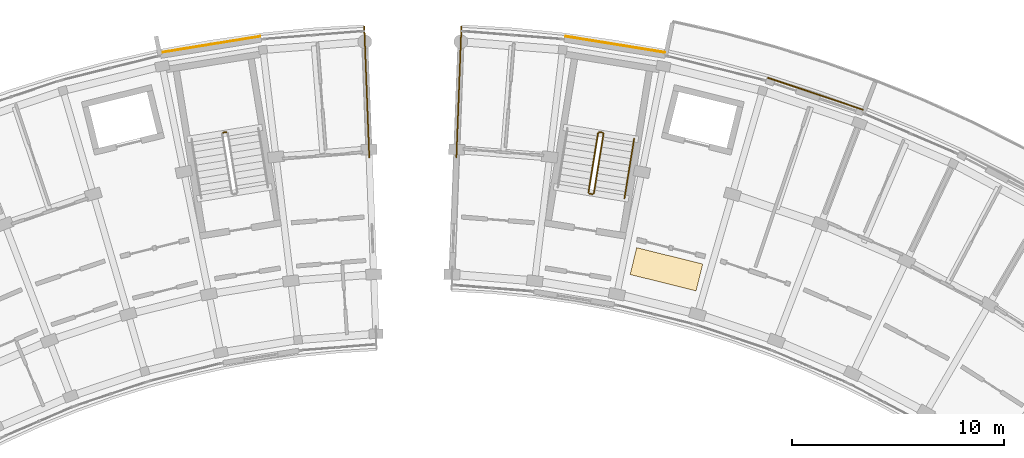
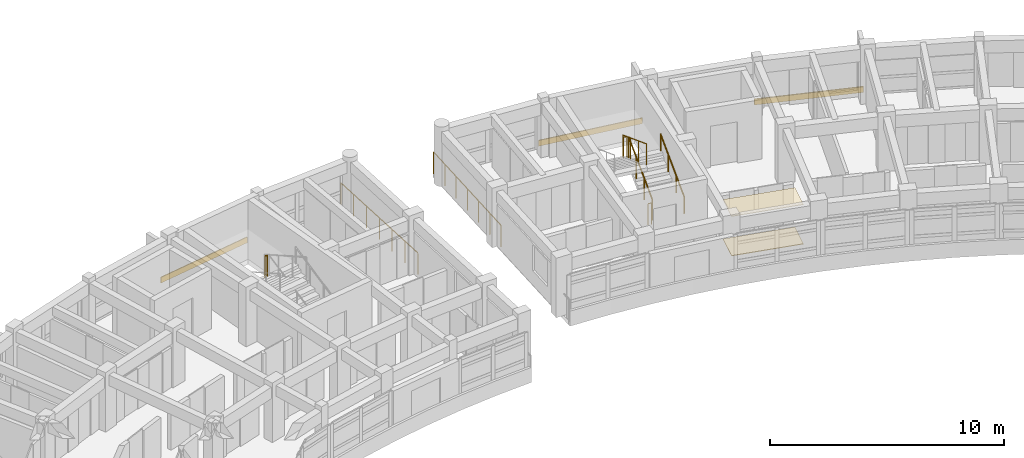
# One storey, part 37 of 40: 8 railings, 5 coverings.
"""IFC4 building model written with IfcOpenShell, lengths in metres."""

import ifcopenshell
import ifcopenshell.guid

model = None  # the IFC model being written
_history = None  # IfcOwnerHistory: only IFC2X3 demands one
_inside = {}  # id of a spatial element -> (the spatial element, [elements in it])
_under = {}  # id of a project, library or spatial element -> (it, [spatial elements below it])
_declared = {}  # id of a project -> (the project, [libraries it declares])
_typed = {}  # id of a type object -> (the type object, [elements of that type])
_made_of = {}  # id of a material, layer set ... -> (it, [elements and type objects made of it])


def new_model(schema):
    """Start an empty IFC model of exactly this schema.

    Asked for "IFC4X3", IfcOpenShell would pick the latest addendum, in which some entities
    have other attributes; the version numbers below select the first issue.
    IFC2X3 requires an IfcOwnerHistory on every rooted entity: one is made here for all.
    """
    global model, _history
    if schema == "IFC4X3":
        model = ifcopenshell.file(schema_version=(4, 3, 0, 0))
    else:
        model = ifcopenshell.file(schema=schema)
    _inside.clear()
    _under.clear()
    _declared.clear()
    _typed.clear()
    _made_of.clear()
    _history = None
    if model.schema == "IFC2X3":
        org = make("IfcOrganization", Name="unknown")
        user = make(
            "IfcPersonAndOrganization",
            ThePerson=make("IfcPerson", FamilyName="unknown"),
            TheOrganization=org,
        )
        app = make(
            "IfcApplication",
            ApplicationDeveloper=org,
            Version="unknown",
            ApplicationFullName="unknown",
            ApplicationIdentifier="unknown",
        )
        _history = make(
            "IfcOwnerHistory",
            OwningUser=user,
            OwningApplication=app,
            ChangeAction="ADDED",
            CreationDate=0,
        )
    return model


def make(cls, **values):
    """One entity of the class cls with the attributes given. An attribute that is None is left unset."""
    return model.create_entity(
        cls, **{name: value for name, value in values.items() if value is not None}
    )


def rooted(cls, **values):
    """An entity with a GlobalId (a new one), such as an element, a storey or a relation."""
    return make(cls, GlobalId=ifcopenshell.guid.new(), OwnerHistory=_history, **values)


def si_unit(unit_type, name, prefix=None):
    """IfcSIUnit, for example si_unit("LENGTHUNIT", "METRE", prefix="MILLI")."""
    return make("IfcSIUnit", UnitType=unit_type, Prefix=prefix, Name=name)


def assignment(units):
    """IfcUnitAssignment: the units of a project."""
    return None if units is None else make("IfcUnitAssignment", Units=units)


def point(xyz):
    """IfcCartesianPoint."""
    return None if xyz is None else make("IfcCartesianPoint", Coordinates=xyz)


def direction(xyz):
    """IfcDirection."""
    return None if xyz is None else make("IfcDirection", DirectionRatios=xyz)


def frame(location, z_axis=None, x_axis=None):
    """IfcAxis2Placement3D, a coordinate frame: its origin and axes. An axis left out is left unset."""
    return make(
        "IfcAxis2Placement3D",
        Location=point(location),
        Axis=direction(z_axis),
        RefDirection=direction(x_axis),
    )


def frame_2d(location, x_axis=None):
    """IfcAxis2Placement2D, a coordinate frame in the plane: its origin and x axis."""
    return make(
        "IfcAxis2Placement2D", Location=point(location), RefDirection=direction(x_axis)
    )


def origin():
    """The frame at (0, 0, 0) with its axes left unset."""
    return frame((0.0, 0.0, 0.0))


def origin_2d():
    """The frame at (0, 0) in the plane with its x axis left unset."""
    return frame_2d((0.0, 0.0))


def place(relative_to, where):
    """IfcLocalPlacement: puts the frame where relative to a parent placement (None: the world)."""
    return make(
        "IfcLocalPlacement", PlacementRelTo=relative_to, RelativePlacement=where
    )


def context(
    kind, dimensions, precision=None, world=None, true_north=None, identifier=None
):
    """IfcGeometricRepresentationContext, for example the 3D "Model" context."""
    return make(
        "IfcGeometricRepresentationContext",
        ContextIdentifier=identifier,
        ContextType=kind,
        CoordinateSpaceDimension=dimensions,
        Precision=precision,
        WorldCoordinateSystem=world,
        TrueNorth=true_north,
    )


def subcontext(parent, identifier, kind, view, scale=None):
    """IfcGeometricRepresentationSubContext, for example "Body" below "Model"."""
    return make(
        "IfcGeometricRepresentationSubContext",
        ContextIdentifier=identifier,
        ContextType=kind,
        ParentContext=parent,
        TargetScale=scale,
        TargetView=view,
    )


def project(units=None, contexts=None):
    """IfcProject with its units and contexts."""
    return rooted(
        "IfcProject",
        Name="project",
        RepresentationContexts=contexts,
        UnitsInContext=assignment(units),
    )


def spatial(cls, under=None, at=None, **own):
    """A site, building, storey or space (cls), placed at a placement, below another one or the project."""
    s = rooted(cls, ObjectPlacement=at, **own)
    if under is not None:
        _under.setdefault(under.id(), (under, []))[1].append(s)
    return s


def profile(cls, at=None, kind="AREA", **sizes):
    """A parametric profile (cls). Its sizes go by their IFC names, for example OverallWidth=200.0."""
    return make(cls, ProfileType=kind, Position=at, **sizes)


def rectangle(**sizes):
    """IfcRectangleProfileDef."""
    return profile("IfcRectangleProfileDef", **sizes)


def circle(**sizes):
    """IfcCircleProfileDef."""
    return profile("IfcCircleProfileDef", **sizes)


def extrude(swept, where, along, depth):
    """IfcExtrudedAreaSolid: the profile swept, set in the frame where, extruded along a direction by depth."""
    return make(
        "IfcExtrudedAreaSolid",
        SweptArea=swept,
        Position=where,
        ExtrudedDirection=direction(along),
        Depth=depth,
    )


def shape(context_of_items, identifier, shape_type, items):
    """IfcShapeRepresentation: the items that make up one representation, for example the "Body"."""
    return make(
        "IfcShapeRepresentation",
        ContextOfItems=context_of_items,
        RepresentationIdentifier=identifier,
        RepresentationType=shape_type,
        Items=items,
    )


def material(Name=None, Category=None):
    """IfcMaterial."""
    return make("IfcMaterial", Name=Name, Category=Category)


def layer(
    of_material, thickness, ventilated=None, Name=None, Category=None, Priority=None
):
    """IfcMaterialLayer: one layer of a wall or slab, of a material (None: an air gap)."""
    return make(
        "IfcMaterialLayer",
        Material=of_material,
        LayerThickness=thickness,
        IsVentilated=ventilated,
        Name=Name,
        Category=Category,
        Priority=Priority,
    )


def layer_set(layers, Name=None):
    """IfcMaterialLayerSet."""
    return make("IfcMaterialLayerSet", MaterialLayers=layers, LayerSetName=Name)


def made_of(thing, what):
    """Note that an element or type object is made of a material, layer set ...; save() writes the relation."""
    if what is not None:
        _made_of.setdefault(what.id(), (what, []))[1].append(thing)
    return thing


def type_object(cls, material=None, **own):
    """A type object (cls), such as IfcWallType, which elements share."""
    return made_of(rooted(cls, **own), material)


def element(
    cls,
    number,
    at=None,
    inside=None,
    cuts=None,
    type_object=None,
    material=None,
    context=None,
    identifier="Body",
    shape_type=None,
    held_by="IfcProductDefinitionShape",
    body=None,
    shapes=None,
    **own,
):
    """One element of the class cls, such as IfcWall. Its Tag is "e" and its number.

    at: its placement. inside: the storey or other place that contains it. cuts: it is an
    opening in that element (IfcRelVoidsElement). A single representation is given by context,
    identifier, shape_type and body (its items); several are given by shapes. held_by: the class
    of the entity that holds the representations. save() writes the other relations.
    """
    e = rooted(cls, Tag="e%d" % number, ObjectPlacement=at, **own)
    if body is not None:
        shapes = [shape(context, identifier, shape_type, body)]
    if shapes is not None:
        e.Representation = make(held_by, Representations=shapes)
    if inside is not None:
        _inside.setdefault(inside.id(), (inside, []))[1].append(e)
    if cuts is not None:
        rooted(
            "IfcRelVoidsElement", RelatingBuildingElement=cuts, RelatedOpeningElement=e
        )
    if type_object is not None:
        _typed.setdefault(type_object.id(), (type_object, []))[1].append(e)
    return made_of(e, material)


def aggregate(whole, parts):
    """IfcRelAggregates: a whole, such as a stair, and the parts it consists of."""
    return rooted("IfcRelAggregates", RelatingObject=whole, RelatedObjects=parts)


def save(model, path):
    """Write the relations noted so far, then the file.

    IfcRelAggregates (storeys below a building ...), IfcRelContainedInSpatialStructure (elements
    in a storey), IfcRelDefinesByType, IfcRelAssociatesMaterial and IfcRelDeclares: one each for
    every whole, place, type object, material and project.
    """
    for whole, parts in _under.values():
        aggregate(whole, parts)
    for where, things in _inside.values():
        rooted(
            "IfcRelContainedInSpatialStructure",
            RelatedElements=things,
            RelatingStructure=where,
        )
    for kind, things in _typed.values():
        rooted("IfcRelDefinesByType", RelatedObjects=things, RelatingType=kind)
    for what, things in _made_of.values():
        rooted("IfcRelAssociatesMaterial", RelatedObjects=things, RelatingMaterial=what)
    for by, libraries in _declared.values():
        rooted("IfcRelDeclares", RelatingContext=by, RelatedDefinitions=libraries)
    model.write(path)


model = new_model("IFC4")

# Units and contexts
model_context = context("Model", 3, precision=1e-05, world=origin(), true_north=direction((0.0, 1.0)))
body_context = subcontext(model_context, "Body", "Model", "MODEL_VIEW")
ifc_project = project(units=[si_unit("LENGTHUNIT", "METRE"), si_unit("AREAUNIT", "SQUARE_METRE"), si_unit("VOLUMEUNIT", "CUBIC_METRE"), si_unit("PLANEANGLEUNIT", "RADIAN"), si_unit("MASSUNIT", "GRAM", prefix="KILO")], contexts=[model_context])

# Site, building, storey
site_placement = place(None, origin())
site = spatial("IfcSite", under=ifc_project, at=site_placement, CompositionType="ELEMENT")
building_placement = place(site_placement, origin())
building = spatial("IfcBuilding", under=site, at=building_placement, Name="Zimvara Arc Housing Community", CompositionType="ELEMENT")
storey_placement = place(building_placement, frame((0.0, 0.0, 32.89990234375)))
storey = spatial("IfcBuildingStorey", under=building, at=storey_placement, Name="L10", CompositionType="ELEMENT", Elevation=32.89990234375)

# Coverings
ifc_material_1 = material(Name="Pale-Gold Anodised Aluminium Cladding", Category="aluminium")
ifc_layer_1 = layer(ifc_material_1, 0.0400390625)
ifc_layer_set_1 = layer_set([ifc_layer_1], Name="Pale-Gold Anodised Aluminium Cladding")
covering_type_1 = type_object("IfcCoveringType", Name="CLD-GOLD-01", PredefinedType="CLADDING", material=ifc_layer_set_1)
covering_1_placement = place(storey_placement, frame((35.47021484375, 103.208984375, 0.01025390625), z_axis=(0.0, 0.0, 1.0), x_axis=(0.987080395872, 0.160225753504, 0.0)))
element("IfcCovering", 1, at=covering_1_placement, inside=storey, type_object=covering_type_1, Name="cld:blkA:L10:out:b8", PredefinedType="CLADDING", context=body_context, shape_type="SweptSolid", body=[
    extrude(rectangle(XDim=4.748779296875, YDim=0.0400390625, at=origin_2d()), origin(), (0.0, 0.0, 1.0), 0.300048828125),
])
ifc_material_2 = material(Name="Pale-Gold Anodised Aluminium Cladding", Category="aluminium")
ifc_layer_2 = layer(ifc_material_2, 0.044921875)
ifc_layer_set_2 = layer_set([ifc_layer_2], Name="Pale-Gold Anodised Aluminium Cladding")
covering_type_2 = type_object("IfcCoveringType", Name="CLD-GOLD-02", PredefinedType="CLADDING", material=ifc_layer_set_2)
covering_2_placement = place(storey_placement, frame((54.5302734375, 103.21142578125, 0.01025390625), z_axis=(0.0, 0.0, 1.0), x_axis=(0.987080395872, -0.160225753504, 0.0)))
element("IfcCovering", 2, at=covering_2_placement, inside=storey, type_object=covering_type_2, Name="cld:blkB:L10:out:b1", PredefinedType="CLADDING", context=body_context, shape_type="SweptSolid", body=[
    extrude(rectangle(XDim=4.748779296875, YDim=0.044921875, at=origin_2d()), origin(), (0.0, 0.0, 1.0), 0.300048828125),
])
ifc_material_3 = material(Name="Pale-Gold Anodised Aluminium Cladding", Category="aluminium")
ifc_layer_3 = layer(ifc_material_3, 0.054931640625)
ifc_layer_set_3 = layer_set([ifc_layer_3], Name="Pale-Gold Anodised Aluminium Cladding")
covering_type_3 = type_object("IfcCoveringType", Name="CLD-GOLD-04", PredefinedType="CLADDING", material=ifc_layer_set_3)
covering_3_placement = place(storey_placement, frame((63.955078125, 100.889404296875, 0.01025390625), z_axis=(0.0, 0.0, 1.0), x_axis=(0.947879690069, -0.318628456287, 0.0)))
element("IfcCovering", 3, at=covering_3_placement, inside=storey, type_object=covering_type_3, Name="cld:blkB:L10:out:b3", PredefinedType="CLADDING", context=body_context, shape_type="SweptSolid", body=[
    extrude(rectangle(XDim=4.748779296875, YDim=0.054931640625, at=origin_2d()), origin(), (0.0, 0.0, 1.0), 0.300048828125),
])
ifc_material_4 = material(Name="Perforated Acoustic Ceiling Board")
ifc_layer_4 = layer(ifc_material_4, 0.02490234375)
ifc_layer_set_4 = layer_set([ifc_layer_4], Name="Perforated Acoustic Ceiling Board")
covering_type_4 = type_object("IfcCoveringType", Name="COV-CEIL-03", PredefinedType="CEILING", material=ifc_layer_set_4)
covering_4_placement = place(storey_placement, frame((56.938232421875, 92.625, 2.05517578125), z_axis=(0.0, 0.0, 1.0), x_axis=(0.240228042477, 0.970716481578, 0.0)))
element("IfcCovering", 4, at=covering_4_placement, inside=storey, type_object=covering_type_4, Name="ceil:blkB:L10", PredefinedType="CEILING", context=body_context, shape_type="SweptSolid", body=[
    extrude(rectangle(XDim=1.300048828125, YDim=3.199951171875, at=origin_2d()), origin(), (0.0, 0.0, 1.0), 0.02490234375),
])
ifc_material_5 = material(Name="Polished Coastal Sand Terrazzo")
ifc_layer_5 = layer(ifc_material_5, 0.028076171875)
ifc_layer_set_5 = layer_set([ifc_layer_5], Name="Polished Coastal Sand Terrazzo")
covering_type_5 = type_object("IfcCoveringType", Name="COV-FLOR-03", PredefinedType="FLOORING", material=ifc_layer_set_5)
covering_5_placement = place(storey_placement, frame((56.938232421875, 92.625, 0.0), z_axis=(0.0, 0.0, 1.0), x_axis=(0.240228042477, 0.970716481578, 0.0)))
element("IfcCovering", 5, at=covering_5_placement, inside=storey, type_object=covering_type_5, Name="flor:blkB:L10", PredefinedType="FLOORING", context=body_context, shape_type="SweptSolid", body=[
    extrude(rectangle(XDim=1.300048828125, YDim=3.199951171875, at=origin_2d()), origin(), (0.0, 0.0, 1.0), 0.028076171875),
])

# Railings
ifc_material_6 = material(Name="Anodised Aluminium AW-6063", Category="aluminium")
railing_type_1 = type_object("IfcRailingType", Name="RLG-BAL-1120", PredefinedType="BALUSTRADE", material=ifc_material_6)
railing_1_placement = place(storey_placement, frame((36.220947265625, 99.08349609375, 1.550048828125)))
element("IfcRailing", 6, at=railing_1_placement, inside=storey, type_object=railing_type_1, Name="L10 ST-A2 stair guard 2", PredefinedType="BALUSTRADE", context=body_context, shape_type="SweptSolid", body=[
    extrude(circle(Radius=0.02392578125, at=origin_2d()), frame((0.0, 0.0, 1.09619140625), z_axis=(-0.987085924886, -0.160191687964, 0.0), x_axis=(0.160191687964, -0.987085924886, 0.0)), (0.0, 0.0, 1.0), 0.159912109375),
    extrude(circle(Radius=0.02099609375, at=origin_2d()), origin(), (0.0, 0.0, 1.0), 1.072021484375),
    extrude(circle(Radius=0.02099609375, at=origin_2d()), frame((-0.157958984375, -0.025634765625, 0.0)), (0.0, 0.0, 1.0), 1.072021484375),
])
railing_2_placement = place(storey_placement, frame((53.524169921875, 96.2021484375, 0.155029296875)))
element("IfcRailing", 7, at=railing_2_placement, inside=storey, type_object=railing_type_1, Name="L10 ST-B1 stair guard 1", PredefinedType="BALUSTRADE", context=body_context, shape_type="SweptSolid", body=[
    extrude(circle(Radius=0.02392578125, at=origin_2d()), frame((0.0, 0.0, 1.09619140625), z_axis=(0.143721784145, 0.885666177347, 0.441519502474), x_axis=(-0.987087819028, 0.160180016, 0.0)), (0.0, 0.0, 1.0), 3.15966796875),
    extrude(circle(Radius=0.02099609375, at=origin_2d()), origin(), (0.0, 0.0, 1.0), 1.072021484375),
    extrude(circle(Radius=0.02099609375, at=origin_2d()), frame((0.1513671875, 0.932861328125, 0.465087890625)), (0.0, 0.0, 1.0), 1.072021484375),
    extrude(circle(Radius=0.02099609375, at=origin_2d()), frame((0.302734375, 1.865478515625, 0.929931640625)), (0.0, 0.0, 1.0), 1.072021484375),
    extrude(circle(Radius=0.02099609375, at=origin_2d()), frame((0.4541015625, 2.79833984375, 1.39501953125)), (0.0, 0.0, 1.0), 1.072021484375),
])
railing_3_placement = place(storey_placement, frame((53.93701171875, 99.057861328125, 1.550048828125)))
element("IfcRailing", 8, at=railing_3_placement, inside=storey, type_object=railing_type_1, Name="L10 ST-B1 stair guard 2", PredefinedType="BALUSTRADE", context=body_context, shape_type="SweptSolid", body=[
    extrude(circle(Radius=0.02392578125, at=origin_2d()), frame((0.0, 0.0, 1.09619140625), z_axis=(-0.987085924886, 0.160191687964, 0.0), x_axis=(-0.160191687964, -0.987085924886, 0.0)), (0.0, 0.0, 1.0), 0.159912109375),
    extrude(circle(Radius=0.02099609375, at=origin_2d()), origin(), (0.0, 0.0, 1.0), 1.072021484375),
    extrude(circle(Radius=0.02099609375, at=origin_2d()), frame((-0.157958984375, 0.025634765625, 0.0)), (0.0, 0.0, 1.0), 1.072021484375),
])
railing_4_placement = place(storey_placement, frame((53.7216796875, 99.042236328125, 1.705078125)))
element("IfcRailing", 9, at=railing_4_placement, inside=storey, type_object=railing_type_1, Name="L10 ST-B1 stair guard 3", PredefinedType="BALUSTRADE", context=body_context, shape_type="SweptSolid", body=[
    extrude(circle(Radius=0.02392578125, at=origin_2d()), frame((0.0, 0.0, 1.09619140625), z_axis=(-0.143721784145, -0.885666177347, 0.441519502474), x_axis=(0.987087819028, -0.160180016, 0.0)), (0.0, 0.0, 1.0), 3.15966796875),
    extrude(circle(Radius=0.02099609375, at=origin_2d()), origin(), (0.0, 0.0, 1.0), 1.072021484375),
    extrude(circle(Radius=0.02099609375, at=origin_2d()), frame((-0.1513671875, -0.932861328125, 0.465087890625)), (0.0, 0.0, 1.0), 1.072021484375),
    extrude(circle(Radius=0.02099609375, at=origin_2d()), frame((-0.302734375, -1.865478515625, 0.929931640625)), (0.0, 0.0, 1.0), 1.072021484375),
    extrude(circle(Radius=0.02099609375, at=origin_2d()), frame((-0.4541015625, -2.79833984375, 1.39501953125)), (0.0, 0.0, 1.0), 1.072021484375),
])
railing_5_placement = place(storey_placement, frame((53.466796875, 96.160888671875, 0.0)))
element("IfcRailing", 10, at=railing_5_placement, inside=storey, type_object=railing_type_1, Name="L10 ST-B1 stair guard 4", PredefinedType="BALUSTRADE", context=body_context, shape_type="SweptSolid", body=[
    extrude(circle(Radius=0.02392578125, at=origin_2d()), frame((0.0, 0.0, 1.09619140625), z_axis=(-0.987085924886, 0.160191687964, 0.0), x_axis=(-0.160191687964, -0.987085924886, 0.0)), (0.0, 0.0, 1.0), 0.159912109375),
    extrude(circle(Radius=0.02099609375, at=origin_2d()), origin(), (0.0, 0.0, 1.0), 1.072021484375),
    extrude(circle(Radius=0.02099609375, at=origin_2d()), frame((-0.157958984375, 0.025634765625, 0.0)), (0.0, 0.0, 1.0), 1.072021484375),
])
ifc_material_7 = material(Name="Anodised Aluminium AW-6063", Category="aluminium")
railing_type_2 = type_object("IfcRailingType", Name="RLG-BAL-1150", PredefinedType="BALUSTRADE", material=ifc_material_7)
railing_6_placement = place(storey_placement, frame((42.948486328125, 97.900634765625, 0.0)))
element("IfcRailing", 11, at=railing_6_placement, inside=storey, type_object=railing_type_2, Name="rlg:blkA:L10:gable_out:gN", PredefinedType="BALUSTRADE", context=body_context, shape_type="SweptSolid", body=[
    extrude(circle(Radius=0.02392578125, at=origin_2d()), frame((0.0, 0.0, 1.1259765625), z_axis=(-0.038364627964, 0.99926380667, 0.0), x_axis=(-0.99926380667, -0.038364627964, 0.0)), (0.0, 0.0, 1.0), 6.16015625),
    extrude(circle(Radius=0.02099609375, at=origin_2d()), origin(), (0.0, 0.0, 1.0), 1.101806640625),
    extrude(circle(Radius=0.02099609375, at=origin_2d()), frame((-0.039306640625, 1.02587890625, 0.0)), (0.0, 0.0, 1.0), 1.101806640625),
    extrude(circle(Radius=0.02099609375, at=origin_2d()), frame((-0.078857421875, 2.0517578125, 0.0)), (0.0, 0.0, 1.0), 1.101806640625),
    extrude(circle(Radius=0.02099609375, at=origin_2d()), frame((-0.1181640625, 3.07763671875, 0.0)), (0.0, 0.0, 1.0), 1.101806640625),
    extrude(circle(Radius=0.02099609375, at=origin_2d()), frame((-0.157470703125, 4.103759765625, 0.0)), (0.0, 0.0, 1.0), 1.101806640625),
    extrude(circle(Radius=0.02099609375, at=origin_2d()), frame((-0.197021484375, 5.129638671875, 0.0)), (0.0, 0.0, 1.0), 1.101806640625),
    extrude(circle(Radius=0.02099609375, at=origin_2d()), frame((-0.236328125, 6.155517578125, 0.0)), (0.0, 0.0, 1.0), 1.101806640625),
])
railing_7_placement = place(storey_placement, frame((47.051513671875, 97.900634765625, 0.0)))
element("IfcRailing", 12, at=railing_7_placement, inside=storey, type_object=railing_type_2, Name="rlg:blkB:L10:gable_out:g0", PredefinedType="BALUSTRADE", context=body_context, shape_type="SweptSolid", body=[
    extrude(circle(Radius=0.02392578125, at=origin_2d()), frame((0.0, 0.0, 1.1259765625), z_axis=(0.038364627964, 0.99926380667, 0.0), x_axis=(-0.99926380667, 0.038364627964, 0.0)), (0.0, 0.0, 1.0), 6.16015625),
    extrude(circle(Radius=0.02099609375, at=origin_2d()), origin(), (0.0, 0.0, 1.0), 1.101806640625),
    extrude(circle(Radius=0.02099609375, at=origin_2d()), frame((0.039306640625, 1.02587890625, 0.0)), (0.0, 0.0, 1.0), 1.101806640625),
    extrude(circle(Radius=0.02099609375, at=origin_2d()), frame((0.078857421875, 2.0517578125, 0.0)), (0.0, 0.0, 1.0), 1.101806640625),
    extrude(circle(Radius=0.02099609375, at=origin_2d()), frame((0.1181640625, 3.07763671875, 0.0)), (0.0, 0.0, 1.0), 1.101806640625),
    extrude(circle(Radius=0.02099609375, at=origin_2d()), frame((0.157470703125, 4.103759765625, 0.0)), (0.0, 0.0, 1.0), 1.101806640625),
    extrude(circle(Radius=0.02099609375, at=origin_2d()), frame((0.197021484375, 5.129638671875, 0.0)), (0.0, 0.0, 1.0), 1.101806640625),
    extrude(circle(Radius=0.02099609375, at=origin_2d()), frame((0.236328125, 6.155517578125, 0.0)), (0.0, 0.0, 1.0), 1.101806640625),
])
ifc_material_8 = material(Name="Anodised Aluminium AW-6063", Category="aluminium")
railing_type_3 = type_object("IfcRailingType", Name="RLG-HND-900", PredefinedType="HANDRAIL", material=ifc_material_8)
railing_8_placement = place(storey_placement, frame((54.96533203125, 95.96826171875, 0.155029296875)))
element("IfcRailing", 13, at=railing_8_placement, inside=storey, type_object=railing_type_3, Name="L10 ST-B1 stair handrail 1", PredefinedType="HANDRAIL", context=body_context, shape_type="SweptSolid", body=[
    extrude(circle(Radius=0.02392578125, at=origin_2d()), frame((0.0, 0.0, 0.8759765625), z_axis=(0.143721784145, 0.885666177347, 0.441519502474), x_axis=(-0.987087819028, 0.160180016, 0.0)), (0.0, 0.0, 1.0), 3.15966796875),
    extrude(circle(Radius=0.02099609375, at=origin_2d()), origin(), (0.0, 0.0, 1.0), 0.851806640625),
    extrude(circle(Radius=0.02099609375, at=origin_2d()), frame((0.1513671875, 0.932861328125, 0.465087890625)), (0.0, 0.0, 1.0), 0.851806640625),
    extrude(circle(Radius=0.02099609375, at=origin_2d()), frame((0.302734375, 1.865478515625, 0.929931640625)), (0.0, 0.0, 1.0), 0.851806640625),
    extrude(circle(Radius=0.02099609375, at=origin_2d()), frame((0.4541015625, 2.79833984375, 1.39501953125)), (0.0, 0.0, 1.0), 0.851806640625),
])

save(model, "model.ifc")
